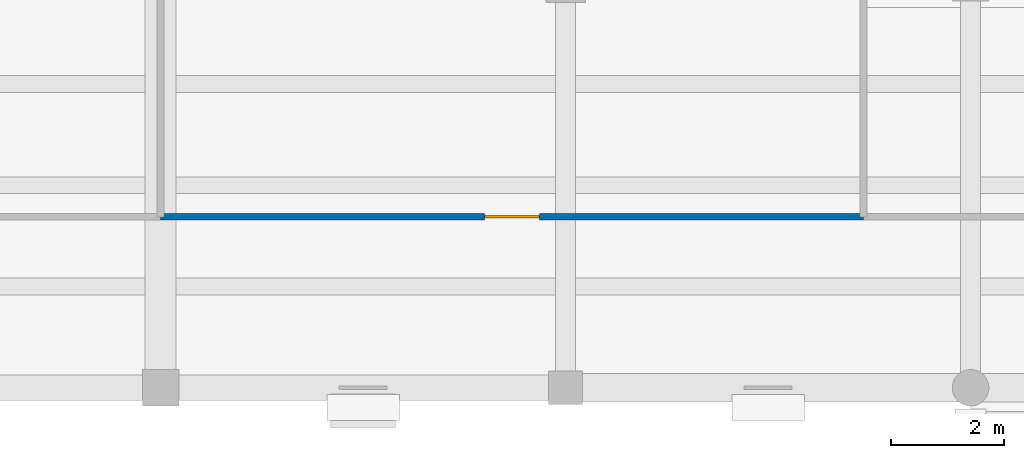
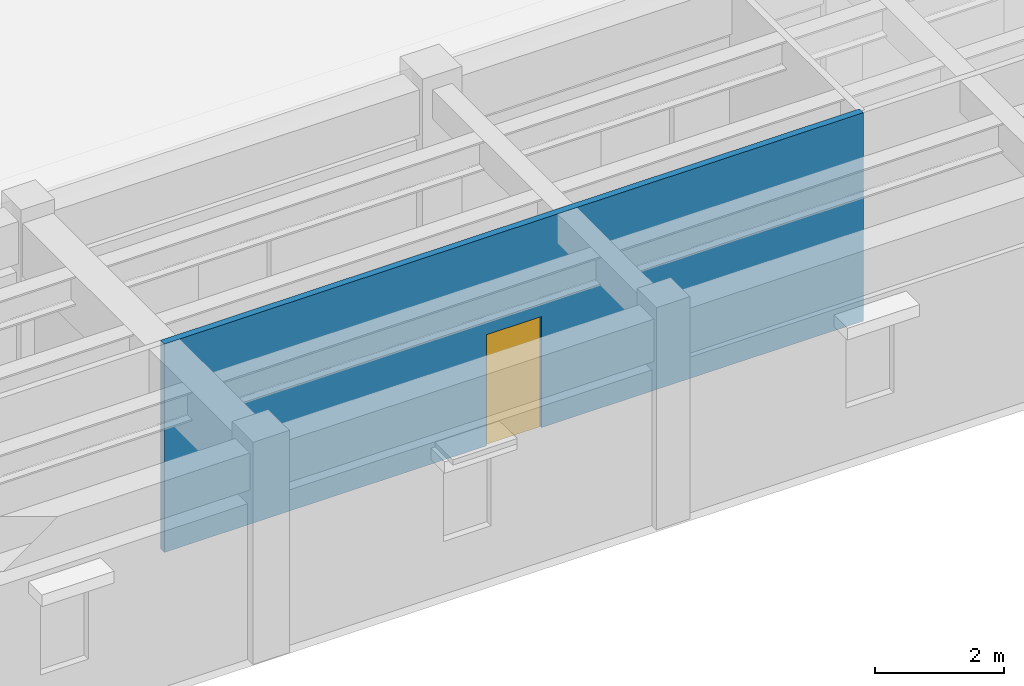
# One storey, part 45 of 66: 1 door, 1 wall, 1 opening.
"""IFC4 building model written with IfcOpenShell, lengths in metres."""

from ifc_helpers import new_model, si_unit, direction, frame, frame_2d, origin, place, context, subcontext, project, spatial, rectangle, extrude, material, layer, layer_set, type_object, element, fill, save


model = new_model("IFC4")

# Units and contexts
model_context = context("Model", 3, precision=1e-05, world=origin(), true_north=direction((0.0, 1.0)))
body_context = subcontext(model_context, "Body", "Model", "MODEL_VIEW")
ifc_project = project(units=[si_unit("LENGTHUNIT", "METRE"), si_unit("AREAUNIT", "SQUARE_METRE"), si_unit("VOLUMEUNIT", "CUBIC_METRE"), si_unit("PLANEANGLEUNIT", "RADIAN"), si_unit("MASSUNIT", "GRAM", prefix="KILO")], contexts=[model_context])

# Site, building, storey
site_placement = place(None, origin())
site = spatial("IfcSite", under=ifc_project, at=site_placement, CompositionType="ELEMENT")
building_placement = place(site_placement, origin())
building = spatial("IfcBuilding", under=site, at=building_placement, Name="Mithqara Police Headquarters", CompositionType="ELEMENT")
storey_placement = place(building_placement, frame((0.0, 0.0, 9.60009765625)))
storey = spatial("IfcBuildingStorey", under=building, at=storey_placement, Name="L02", CompositionType="ELEMENT", Elevation=9.60009765625)

# Wall, opening, door
ifc_material_1 = material(Name="Gypsum acoustic stud partition", Category="gypsum")
ifc_layer = layer(ifc_material_1, 0.1201171875, Name="Gypsum acoustic stud partition")
ifc_layer_set = layer_set([ifc_layer], Name="Gypsum acoustic stud partition")
wall_type = type_object("IfcWallType", Name="PART WALL 120", PredefinedType="PARTITIONING", material=ifc_layer_set)
wall_placement = place(storey_placement, frame((58.199951171875, 81.639892578125, 0.0), z_axis=(0.0, 0.0, 1.0), x_axis=(1.0, 0.0, 0.0)))
wall = element("IfcWall", 1, at=wall_placement, inside=storey, type_object=wall_type, Name="L02 Corridor Wall Crime Statistics Analysis Room", PredefinedType="PARTITIONING", context=body_context, shape_type="SweptSolid", body=[
    extrude(rectangle(XDim=12.4951171875, YDim=0.1201171875, at=frame_2d((6.24755859375, 0.0))), origin(), (0.0, 0.0, 1.0), 3.93994140625),
])
opening_placement = place(wall_placement, frame((5.757568359375, 0.0, 0.0)))
opening = element("IfcOpeningElement", 2, at=opening_placement, cuts=wall, Name="Opening D-04", PredefinedType="OPENING", context=body_context, shape_type="SweptSolid", body=[
    extrude(rectangle(XDim=0.97998046875, YDim=2.10009765625, at=frame_2d((0.489990234375, 1.050048828125))), frame((0.0, 0.070068359375, 0.0), z_axis=(0.0, -1.0, 0.0), x_axis=(1.0, 0.0, 0.0)), (0.0, 0.0, 1.0), 0.14013671875),
])
ifc_material_2 = material(Name="Acoustic solid-core timber leaf", Category="wood")
door_type = type_object("IfcDoorType", Name="INT DOOR 980X2100", OperationType="NOTDEFINED", PredefinedType="DOOR", material=ifc_material_2)
door_placement = place(opening_placement, origin())
door = element("IfcDoor", 3, at=door_placement, inside=storey, type_object=door_type, Name="Crime Statistics Analysis Room Entry Door", OperationType="SINGLE_SWING_LEFT", OverallHeight=2.10009765625, OverallWidth=0.97998046875, PredefinedType="DOOR", context=body_context, shape_type="SweptSolid", body=[
    extrude(rectangle(XDim=0.97998046875, YDim=2.10009765625, at=frame_2d((0.489990234375, 1.050048828125))), frame((0.0, 0.02490234375, 0.0), z_axis=(0.0, -1.0, 0.0), x_axis=(1.0, 0.0, 0.0)), (0.0, 0.0, 1.0), 0.050048828125),
])
fill(opening, door)

save(model, "model.ifc")
